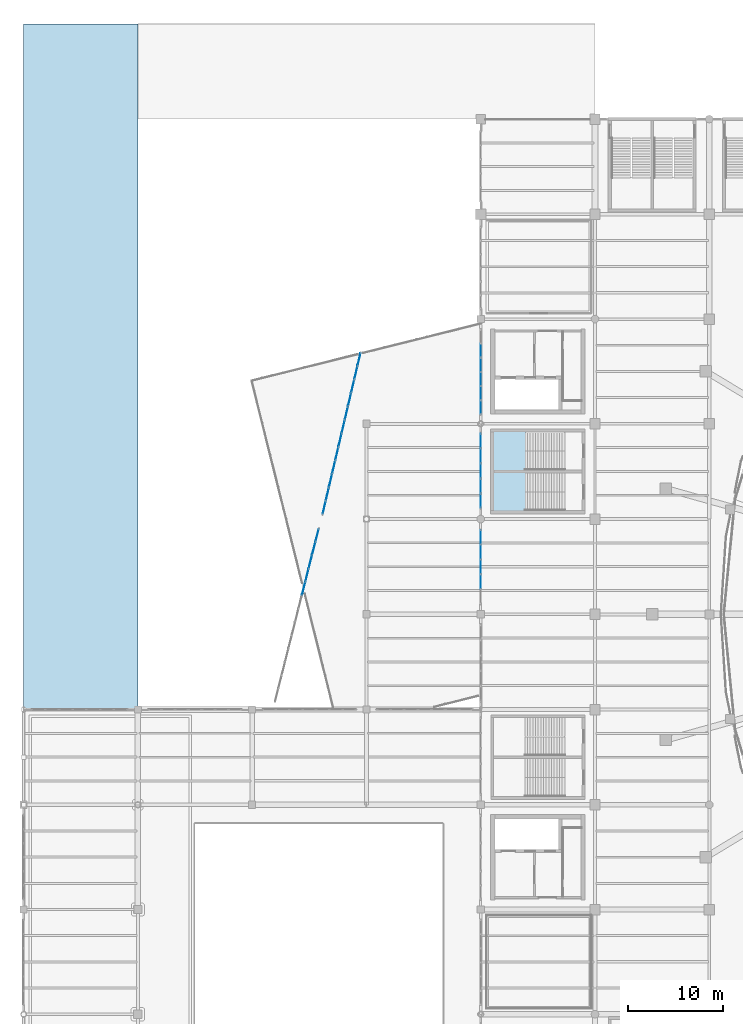
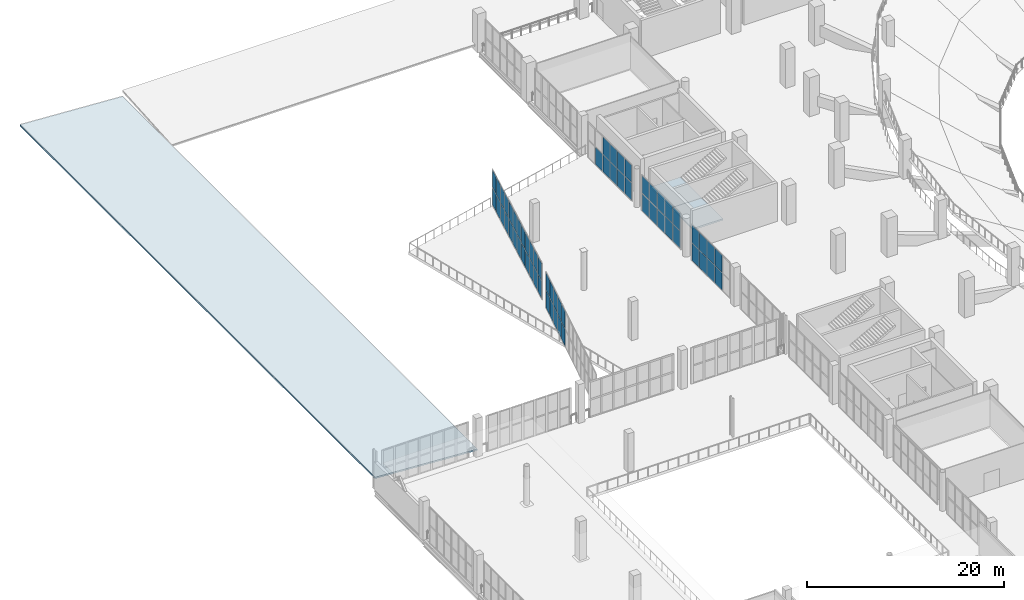
# One storey, part 97 of 136: 61 plates, 3 slabs, 7 elements without a shape of their own.
"""IFC4 building model written with IfcOpenShell, lengths in metres."""

from ifc_helpers import new_model, si_unit, direction, frame, origin, origin_2d, place, context, subcontext, project, spatial, polyline, rectangle, outline, extrude, material, layer, layer_set, type_object, element, aggregate, save


model = new_model("IFC4")

# Units and contexts
model_context = context("Model", 3, precision=1e-05, world=origin(), true_north=direction((0.0, 1.0)))
body_context = subcontext(model_context, "Body", "Model", "MODEL_VIEW")
ifc_project = project(units=[si_unit("LENGTHUNIT", "METRE"), si_unit("AREAUNIT", "SQUARE_METRE"), si_unit("VOLUMEUNIT", "CUBIC_METRE"), si_unit("PLANEANGLEUNIT", "RADIAN"), si_unit("MASSUNIT", "GRAM", prefix="KILO")], contexts=[model_context])

# Site, building, storey
site_placement = place(None, origin())
site = spatial("IfcSite", under=ifc_project, at=site_placement, CompositionType="ELEMENT")
building_placement = place(site_placement, origin())
building = spatial("IfcBuilding", under=site, at=building_placement, Name="Brinegate Civic Arena", CompositionType="ELEMENT")
storey_placement = place(building_placement, frame((0.0, 0.0, 5.39990234375)))
storey = spatial("IfcBuildingStorey", under=building, at=storey_placement, Name="L01", CompositionType="ELEMENT", Elevation=5.39990234375)

# Curtain wall, plates
ifc_material_1 = material(Name="Marine grade aluminium", Category="aluminium")
ifc_layer_1 = layer(ifc_material_1, 0.199951171875, Name="Marine grade aluminium")
ifc_layer_set_1 = layer_set([ifc_layer_1], Name="Marine grade aluminium")
curtain_wall_type_1 = type_object("IfcCurtainWallType", Name="CW-BOWL-GLAZED-01", PredefinedType="USERDEFINED", material=ifc_layer_set_1)
curtain_wall_1_placement = place(storey_placement, origin())
curtain_wall_1 = element("IfcCurtainWall", 1, at=curtain_wall_1_placement, inside=storey, type_object=curtain_wall_type_1, Name="Curtain Wall CWA-054", ObjectType="GLAZED CURTAIN WALL", PredefinedType="USERDEFINED")
ifc_material_2 = material(Name="Hurricane laminated low-E glass", Category="glass")
ifc_layer_2 = layer(ifc_material_2, 0.028076171875, Name="Hurricane laminated low-E glass")
ifc_layer_set_2 = layer_set([ifc_layer_2], Name="Hurricane laminated low-E glass")
plate_type_1 = type_object("IfcPlateType", Name="CW-PANEL-GLAZED-28", PredefinedType="CURTAIN_PANEL", material=ifc_layer_set_2)
plate_1_placement = place(storey_placement, frame((48.0, 65.421142578125, 0.06494140625), z_axis=(0.0, 0.0, 1.0), x_axis=(0.0, 1.0, 0.0)))
plate_1 = element("IfcPlate", 2, at=plate_1_placement, type_object=plate_type_1, Name="CWA-054 panel 2.1", PredefinedType="CURTAIN_PANEL", context=body_context, shape_type="SweptSolid", body=[
    extrude(rectangle(XDim=1.495849609375, YDim=0.028076171875, at=origin_2d()), origin(), (0.0, 0.0, 1.0), 2.137451171875),
])
plate_2_placement = place(storey_placement, frame((48.0, 65.421142578125, 2.267578125), z_axis=(0.0, 0.0, 1.0), x_axis=(0.0, 1.0, 0.0)))
plate_2 = element("IfcPlate", 3, at=plate_2_placement, type_object=plate_type_1, Name="CWA-054 panel 2.2", PredefinedType="CURTAIN_PANEL", context=body_context, shape_type="SweptSolid", body=[
    extrude(rectangle(XDim=1.495849609375, YDim=0.028076171875, at=origin_2d()), origin(), (0.0, 0.0, 1.0), 2.137451171875),
])
plate_3_placement = place(storey_placement, frame((48.0, 66.98193359375, 0.06494140625), z_axis=(0.0, 0.0, 1.0), x_axis=(0.0, 1.0, 0.0)))
plate_3 = element("IfcPlate", 4, at=plate_3_placement, type_object=plate_type_1, Name="CWA-054 panel 3.1", PredefinedType="CURTAIN_PANEL", context=body_context, shape_type="SweptSolid", body=[
    extrude(rectangle(XDim=1.495849609375, YDim=0.028076171875, at=origin_2d()), origin(), (0.0, 0.0, 1.0), 2.137451171875),
])
plate_4_placement = place(storey_placement, frame((48.0, 66.98193359375, 2.267578125), z_axis=(0.0, 0.0, 1.0), x_axis=(0.0, 1.0, 0.0)))
plate_4 = element("IfcPlate", 5, at=plate_4_placement, type_object=plate_type_1, Name="CWA-054 panel 3.2", PredefinedType="CURTAIN_PANEL", context=body_context, shape_type="SweptSolid", body=[
    extrude(rectangle(XDim=1.495849609375, YDim=0.028076171875, at=origin_2d()), origin(), (0.0, 0.0, 1.0), 2.137451171875),
])
plate_5_placement = place(storey_placement, frame((48.0, 68.542724609375, 0.06494140625), z_axis=(0.0, 0.0, 1.0), x_axis=(0.0, 1.0, 0.0)))
plate_5 = element("IfcPlate", 6, at=plate_5_placement, type_object=plate_type_1, Name="CWA-054 panel 4.1", PredefinedType="CURTAIN_PANEL", context=body_context, shape_type="SweptSolid", body=[
    extrude(rectangle(XDim=1.495849609375, YDim=0.028076171875, at=origin_2d()), origin(), (0.0, 0.0, 1.0), 2.137451171875),
])
plate_6_placement = place(storey_placement, frame((48.0, 68.542724609375, 2.267578125), z_axis=(0.0, 0.0, 1.0), x_axis=(0.0, 1.0, 0.0)))
plate_6 = element("IfcPlate", 7, at=plate_6_placement, type_object=plate_type_1, Name="CWA-054 panel 4.2", PredefinedType="CURTAIN_PANEL", context=body_context, shape_type="SweptSolid", body=[
    extrude(rectangle(XDim=1.495849609375, YDim=0.028076171875, at=origin_2d()), origin(), (0.0, 0.0, 1.0), 2.137451171875),
])
plate_7_placement = place(storey_placement, frame((48.0, 70.08740234375, 0.06494140625), z_axis=(0.0, 0.0, 1.0), x_axis=(0.0, 1.0, 0.0)))
plate_7 = element("IfcPlate", 8, at=plate_7_placement, type_object=plate_type_1, Name="CWA-054 panel 5.1", PredefinedType="CURTAIN_PANEL", context=body_context, shape_type="SweptSolid", body=[
    extrude(rectangle(XDim=1.46337890625, YDim=0.028076171875, at=origin_2d()), origin(), (0.0, 0.0, 1.0), 2.137451171875),
])
plate_8_placement = place(storey_placement, frame((48.0, 70.08740234375, 2.267578125), z_axis=(0.0, 0.0, 1.0), x_axis=(0.0, 1.0, 0.0)))
plate_8 = element("IfcPlate", 9, at=plate_8_placement, type_object=plate_type_1, Name="CWA-054 panel 5.2", PredefinedType="CURTAIN_PANEL", context=body_context, shape_type="SweptSolid", body=[
    extrude(rectangle(XDim=1.46337890625, YDim=0.028076171875, at=origin_2d()), origin(), (0.0, 0.0, 1.0), 2.137451171875),
])
aggregate(curtain_wall_1, [plate_1, plate_2, plate_3, plate_4, plate_5, plate_6, plate_7, plate_8])

curtain_wall_2_placement = place(storey_placement, origin())
curtain_wall_2 = element("IfcCurtainWall", 10, at=curtain_wall_2_placement, inside=storey, type_object=curtain_wall_type_1, Name="Curtain Wall CWA-058", ObjectType="GLAZED CURTAIN WALL", PredefinedType="USERDEFINED")
plate_9_placement = place(storey_placement, frame((48.0, 83.7421875, 0.06494140625), z_axis=(0.0, 0.0, 1.0), x_axis=(0.0, 1.0, 0.0)))
plate_9 = element("IfcPlate", 11, at=plate_9_placement, type_object=plate_type_1, Name="CWA-058 panel 1.1", PredefinedType="CURTAIN_PANEL", context=body_context, shape_type="SweptSolid", body=[
    extrude(rectangle(XDim=1.392333984375, YDim=0.028076171875, at=origin_2d()), origin(), (0.0, 0.0, 1.0), 2.137451171875),
])
plate_10_placement = place(storey_placement, frame((48.0, 83.7421875, 2.267578125), z_axis=(0.0, 0.0, 1.0), x_axis=(0.0, 1.0, 0.0)))
plate_10 = element("IfcPlate", 12, at=plate_10_placement, type_object=plate_type_1, Name="CWA-058 panel 1.2", PredefinedType="CURTAIN_PANEL", context=body_context, shape_type="SweptSolid", body=[
    extrude(rectangle(XDim=1.392333984375, YDim=0.028076171875, at=origin_2d()), origin(), (0.0, 0.0, 1.0), 2.137451171875),
])
plate_11_placement = place(storey_placement, frame((48.0, 85.2158203125, 0.06494140625), z_axis=(0.0, 0.0, 1.0), x_axis=(0.0, 1.0, 0.0)))
plate_11 = element("IfcPlate", 13, at=plate_11_placement, type_object=plate_type_1, Name="CWA-058 panel 2.1", PredefinedType="CURTAIN_PANEL", context=body_context, shape_type="SweptSolid", body=[
    extrude(rectangle(XDim=1.4248046875, YDim=0.028076171875, at=origin_2d()), origin(), (0.0, 0.0, 1.0), 2.137451171875),
])
plate_12_placement = place(storey_placement, frame((48.0, 85.2158203125, 2.267578125), z_axis=(0.0, 0.0, 1.0), x_axis=(0.0, 1.0, 0.0)))
plate_12 = element("IfcPlate", 14, at=plate_12_placement, type_object=plate_type_1, Name="CWA-058 panel 2.2", PredefinedType="CURTAIN_PANEL", context=body_context, shape_type="SweptSolid", body=[
    extrude(rectangle(XDim=1.4248046875, YDim=0.028076171875, at=origin_2d()), origin(), (0.0, 0.0, 1.0), 2.137451171875),
])
plate_13_placement = place(storey_placement, frame((48.0, 86.70556640625, 0.06494140625), z_axis=(0.0, 0.0, 1.0), x_axis=(0.0, 1.0, 0.0)))
plate_13 = element("IfcPlate", 15, at=plate_13_placement, type_object=plate_type_1, Name="CWA-058 panel 3.1", PredefinedType="CURTAIN_PANEL", context=body_context, shape_type="SweptSolid", body=[
    extrude(rectangle(XDim=1.4248046875, YDim=0.028076171875, at=origin_2d()), origin(), (0.0, 0.0, 1.0), 2.137451171875),
])
plate_14_placement = place(storey_placement, frame((48.0, 86.70556640625, 2.267578125), z_axis=(0.0, 0.0, 1.0), x_axis=(0.0, 1.0, 0.0)))
plate_14 = element("IfcPlate", 16, at=plate_14_placement, type_object=plate_type_1, Name="CWA-058 panel 3.2", PredefinedType="CURTAIN_PANEL", context=body_context, shape_type="SweptSolid", body=[
    extrude(rectangle(XDim=1.4248046875, YDim=0.028076171875, at=origin_2d()), origin(), (0.0, 0.0, 1.0), 2.137451171875),
])
plate_15_placement = place(storey_placement, frame((48.0, 88.1953125, 0.06494140625), z_axis=(0.0, 0.0, 1.0), x_axis=(0.0, 1.0, 0.0)))
plate_15 = element("IfcPlate", 17, at=plate_15_placement, type_object=plate_type_1, Name="CWA-058 panel 4.1", PredefinedType="CURTAIN_PANEL", context=body_context, shape_type="SweptSolid", body=[
    extrude(rectangle(XDim=1.4248046875, YDim=0.028076171875, at=origin_2d()), origin(), (0.0, 0.0, 1.0), 2.137451171875),
])
plate_16_placement = place(storey_placement, frame((48.0, 88.1953125, 2.267578125), z_axis=(0.0, 0.0, 1.0), x_axis=(0.0, 1.0, 0.0)))
plate_16 = element("IfcPlate", 18, at=plate_16_placement, type_object=plate_type_1, Name="CWA-058 panel 4.2", PredefinedType="CURTAIN_PANEL", context=body_context, shape_type="SweptSolid", body=[
    extrude(rectangle(XDim=1.4248046875, YDim=0.028076171875, at=origin_2d()), origin(), (0.0, 0.0, 1.0), 2.137451171875),
])
plate_17_placement = place(storey_placement, frame((48.0, 89.685302734375, 0.06494140625), z_axis=(0.0, 0.0, 1.0), x_axis=(0.0, 1.0, 0.0)))
plate_17 = element("IfcPlate", 19, at=plate_17_placement, type_object=plate_type_1, Name="CWA-058 panel 5.1", PredefinedType="CURTAIN_PANEL", context=body_context, shape_type="SweptSolid", body=[
    extrude(rectangle(XDim=1.4248046875, YDim=0.028076171875, at=origin_2d()), origin(), (0.0, 0.0, 1.0), 2.137451171875),
])
aggregate(curtain_wall_2, [plate_9, plate_10, plate_11, plate_12, plate_13, plate_14, plate_15, plate_16, plate_17])

ifc_layer_3 = layer(ifc_material_1, 0.215087890625, Name="Marine grade aluminium")
ifc_layer_set_3 = layer_set([ifc_layer_3], Name="Marine grade aluminium")
curtain_wall_type_2 = type_object("IfcCurtainWallType", Name="CW-FOYER-GLAZED-02", PredefinedType="USERDEFINED", material=ifc_layer_set_3)
curtain_wall_3_placement = place(storey_placement, origin())
curtain_wall_3 = element("IfcCurtainWall", 20, at=curtain_wall_3_placement, inside=storey, type_object=curtain_wall_type_2, Name="Curtain Wall CWA-001", ObjectType="GLAZED CURTAIN WALL", PredefinedType="USERDEFINED")
ifc_layer_4 = layer(ifc_material_2, 0.031982421875, Name="Hurricane laminated low-E glass")
ifc_layer_set_4 = layer_set([ifc_layer_4], Name="Hurricane laminated low-E glass")
plate_type_2 = type_object("IfcPlateType", Name="CW-PANEL-GLAZED-32", PredefinedType="CURTAIN_PANEL", material=ifc_layer_set_4)
plate_18_placement = place(storey_placement, frame((29.40771484375, 64.699951171875, 0.06494140625), z_axis=(0.0, 0.0, 1.0), x_axis=(0.245041635134, 0.969512556417, 0.0)))
plate_18 = element("IfcPlate", 21, at=plate_18_placement, type_object=plate_type_2, Name="CWA-001 panel 9.1", PredefinedType="CURTAIN_PANEL", context=body_context, shape_type="SweptSolid", body=[
    extrude(rectangle(XDim=1.37890625, YDim=0.031982421875, at=origin_2d()), origin(), (0.0, 0.0, 1.0), 2.137451171875),
])
plate_19_placement = place(storey_placement, frame((29.40771484375, 64.699951171875, 2.267578125), z_axis=(0.0, 0.0, 1.0), x_axis=(0.245041635134, 0.969512556417, 0.0)))
plate_19 = element("IfcPlate", 22, at=plate_19_placement, type_object=plate_type_2, Name="CWA-001 panel 9.2", PredefinedType="CURTAIN_PANEL", context=body_context, shape_type="SweptSolid", body=[
    extrude(rectangle(XDim=1.37890625, YDim=0.031982421875, at=origin_2d()), origin(), (0.0, 0.0, 1.0), 2.137451171875),
])
plate_20_placement = place(storey_placement, frame((29.761474609375, 66.10009765625, 0.06494140625), z_axis=(0.0, 0.0, 1.0), x_axis=(0.245041635134, 0.969512556417, 0.0)))
plate_20 = element("IfcPlate", 23, at=plate_20_placement, type_object=plate_type_2, Name="CWA-001 panel 10.1", PredefinedType="CURTAIN_PANEL", context=body_context, shape_type="SweptSolid", body=[
    extrude(rectangle(XDim=1.37890625, YDim=0.031982421875, at=origin_2d()), origin(), (0.0, 0.0, 1.0), 2.137451171875),
])
plate_21_placement = place(storey_placement, frame((29.761474609375, 66.10009765625, 2.267578125), z_axis=(0.0, 0.0, 1.0), x_axis=(0.245041635134, 0.969512556417, 0.0)))
plate_21 = element("IfcPlate", 24, at=plate_21_placement, type_object=plate_type_2, Name="CWA-001 panel 10.2", PredefinedType="CURTAIN_PANEL", context=body_context, shape_type="SweptSolid", body=[
    extrude(rectangle(XDim=1.37890625, YDim=0.031982421875, at=origin_2d()), origin(), (0.0, 0.0, 1.0), 2.137451171875),
])
plate_22_placement = place(storey_placement, frame((30.115478515625, 67.5, 0.06494140625), z_axis=(0.0, 0.0, 1.0), x_axis=(0.245041635134, 0.969512556417, 0.0)))
plate_22 = element("IfcPlate", 25, at=plate_22_placement, type_object=plate_type_2, Name="CWA-001 panel 11.1", PredefinedType="CURTAIN_PANEL", context=body_context, shape_type="SweptSolid", body=[
    extrude(rectangle(XDim=1.37890625, YDim=0.031982421875, at=origin_2d()), origin(), (0.0, 0.0, 1.0), 2.137451171875),
])
plate_23_placement = place(storey_placement, frame((30.115478515625, 67.5, 2.267578125), z_axis=(0.0, 0.0, 1.0), x_axis=(0.245041635134, 0.969512556417, 0.0)))
plate_23 = element("IfcPlate", 26, at=plate_23_placement, type_object=plate_type_2, Name="CWA-001 panel 11.2", PredefinedType="CURTAIN_PANEL", context=body_context, shape_type="SweptSolid", body=[
    extrude(rectangle(XDim=1.37890625, YDim=0.031982421875, at=origin_2d()), origin(), (0.0, 0.0, 1.0), 2.137451171875),
])
plate_24_placement = place(storey_placement, frame((30.46923828125, 68.89990234375, 0.06494140625), z_axis=(0.0, 0.0, 1.0), x_axis=(0.245041635134, 0.969512556417, 0.0)))
plate_24 = element("IfcPlate", 27, at=plate_24_placement, type_object=plate_type_2, Name="CWA-001 panel 12.1", PredefinedType="CURTAIN_PANEL", context=body_context, shape_type="SweptSolid", body=[
    extrude(rectangle(XDim=1.37890625, YDim=0.031982421875, at=origin_2d()), origin(), (0.0, 0.0, 1.0), 2.137451171875),
])
plate_25_placement = place(storey_placement, frame((30.46923828125, 68.89990234375, 2.267578125), z_axis=(0.0, 0.0, 1.0), x_axis=(0.245041635134, 0.969512556417, 0.0)))
plate_25 = element("IfcPlate", 28, at=plate_25_placement, type_object=plate_type_2, Name="CWA-001 panel 12.2", PredefinedType="CURTAIN_PANEL", context=body_context, shape_type="SweptSolid", body=[
    extrude(rectangle(XDim=1.37890625, YDim=0.031982421875, at=origin_2d()), origin(), (0.0, 0.0, 1.0), 2.137451171875),
])
plate_26_placement = place(storey_placement, frame((30.819091796875, 70.2841796875, 0.06494140625), z_axis=(0.0, 0.0, 1.0), x_axis=(0.245041635134, 0.969512556417, 0.0)))
plate_26 = element("IfcPlate", 29, at=plate_26_placement, type_object=plate_type_2, Name="CWA-001 panel 13.1", PredefinedType="CURTAIN_PANEL", context=body_context, shape_type="SweptSolid", body=[
    extrude(rectangle(XDim=1.346435546875, YDim=0.031982421875, at=origin_2d()), origin(), (0.0, 0.0, 1.0), 2.137451171875),
])
plate_27_placement = place(storey_placement, frame((30.819091796875, 70.2841796875, 2.267578125), z_axis=(0.0, 0.0, 1.0), x_axis=(0.245041635134, 0.969512556417, 0.0)))
plate_27 = element("IfcPlate", 30, at=plate_27_placement, type_object=plate_type_2, Name="CWA-001 panel 13.2", PredefinedType="CURTAIN_PANEL", context=body_context, shape_type="SweptSolid", body=[
    extrude(rectangle(XDim=1.346435546875, YDim=0.031982421875, at=origin_2d()), origin(), (0.0, 0.0, 1.0), 2.137451171875),
])
aggregate(curtain_wall_3, [plate_18, plate_19, plate_20, plate_21, plate_22, plate_23, plate_24, plate_25, plate_26, plate_27])

curtain_wall_4_placement = place(storey_placement, origin())
curtain_wall_4 = element("IfcCurtainWall", 31, at=curtain_wall_4_placement, inside=storey, type_object=curtain_wall_type_2, Name="Curtain Wall CWA-002", ObjectType="GLAZED CURTAIN WALL", PredefinedType="USERDEFINED")
ifc_layer_5 = layer(ifc_material_2, 0.035888671875, Name="Hurricane laminated low-E glass")
ifc_layer_set_5 = layer_set([ifc_layer_5], Name="Hurricane laminated low-E glass")
plate_type_3 = type_object("IfcPlateType", Name="CW-PANEL-GLAZED-36", PredefinedType="CURTAIN_PANEL", material=ifc_layer_set_5)
plate_28_placement = place(storey_placement, frame((31.571044921875, 73.2265625, 0.074951171875), z_axis=(0.0, 0.0, 1.0), x_axis=(0.229039333722, 0.973417168334, 0.0)))
plate_28 = element("IfcPlate", 32, at=plate_28_placement, type_object=plate_type_3, Name="CWA-002 panel 1.1", PredefinedType="CURTAIN_PANEL", context=body_context, shape_type="SweptSolid", body=[
    extrude(rectangle(XDim=1.3427734375, YDim=0.035888671875, at=origin_2d()), origin(), (0.0, 0.0, 1.0), 2.12255859375),
])
plate_29_placement = place(storey_placement, frame((31.571044921875, 73.2265625, 2.2724609375), z_axis=(0.0, 0.0, 1.0), x_axis=(0.229039333722, 0.973417168334, 0.0)))
plate_29 = element("IfcPlate", 33, at=plate_29_placement, type_object=plate_type_3, Name="CWA-002 panel 1.2", PredefinedType="CURTAIN_PANEL", context=body_context, shape_type="SweptSolid", body=[
    extrude(rectangle(XDim=1.3427734375, YDim=0.035888671875, at=origin_2d()), origin(), (0.0, 0.0, 1.0), 2.12255859375),
])
plate_30_placement = place(storey_placement, frame((31.89990234375, 74.625, 0.074951171875), z_axis=(0.0, 0.0, 1.0), x_axis=(0.229039333722, 0.973417168334, 0.0)))
plate_30 = element("IfcPlate", 34, at=plate_30_placement, type_object=plate_type_3, Name="CWA-002 panel 2.1", PredefinedType="CURTAIN_PANEL", context=body_context, shape_type="SweptSolid", body=[
    extrude(rectangle(XDim=1.38037109375, YDim=0.035888671875, at=origin_2d()), origin(), (0.0, 0.0, 1.0), 2.12255859375),
])
plate_31_placement = place(storey_placement, frame((31.89990234375, 74.625, 2.2724609375), z_axis=(0.0, 0.0, 1.0), x_axis=(0.229039333722, 0.973417168334, 0.0)))
plate_31 = element("IfcPlate", 35, at=plate_31_placement, type_object=plate_type_3, Name="CWA-002 panel 2.2", PredefinedType="CURTAIN_PANEL", context=body_context, shape_type="SweptSolid", body=[
    extrude(rectangle(XDim=1.38037109375, YDim=0.035888671875, at=origin_2d()), origin(), (0.0, 0.0, 1.0), 2.12255859375),
])
plate_32_placement = place(storey_placement, frame((32.2333984375, 76.041748046875, 0.074951171875), z_axis=(0.0, 0.0, 1.0), x_axis=(0.229039333722, 0.973417168334, 0.0)))
plate_32 = element("IfcPlate", 36, at=plate_32_placement, type_object=plate_type_3, Name="CWA-002 panel 3.1", PredefinedType="CURTAIN_PANEL", context=body_context, shape_type="SweptSolid", body=[
    extrude(rectangle(XDim=1.38037109375, YDim=0.035888671875, at=origin_2d()), origin(), (0.0, 0.0, 1.0), 2.12255859375),
])
plate_33_placement = place(storey_placement, frame((32.2333984375, 76.041748046875, 2.2724609375), z_axis=(0.0, 0.0, 1.0), x_axis=(0.229039333722, 0.973417168334, 0.0)))
plate_33 = element("IfcPlate", 37, at=plate_33_placement, type_object=plate_type_3, Name="CWA-002 panel 3.2", PredefinedType="CURTAIN_PANEL", context=body_context, shape_type="SweptSolid", body=[
    extrude(rectangle(XDim=1.38037109375, YDim=0.035888671875, at=origin_2d()), origin(), (0.0, 0.0, 1.0), 2.12255859375),
])
plate_34_placement = place(storey_placement, frame((32.566650390625, 77.458251953125, 0.074951171875), z_axis=(0.0, 0.0, 1.0), x_axis=(0.229039333722, 0.973417168334, 0.0)))
plate_34 = element("IfcPlate", 38, at=plate_34_placement, type_object=plate_type_3, Name="CWA-002 panel 4.1", PredefinedType="CURTAIN_PANEL", context=body_context, shape_type="SweptSolid", body=[
    extrude(rectangle(XDim=1.38037109375, YDim=0.035888671875, at=origin_2d()), origin(), (0.0, 0.0, 1.0), 2.12255859375),
])
plate_35_placement = place(storey_placement, frame((32.566650390625, 77.458251953125, 2.2724609375), z_axis=(0.0, 0.0, 1.0), x_axis=(0.229039333722, 0.973417168334, 0.0)))
plate_35 = element("IfcPlate", 39, at=plate_35_placement, type_object=plate_type_3, Name="CWA-002 panel 4.2", PredefinedType="CURTAIN_PANEL", context=body_context, shape_type="SweptSolid", body=[
    extrude(rectangle(XDim=1.38037109375, YDim=0.035888671875, at=origin_2d()), origin(), (0.0, 0.0, 1.0), 2.12255859375),
])
plate_36_placement = place(storey_placement, frame((32.89990234375, 78.875, 0.074951171875), z_axis=(0.0, 0.0, 1.0), x_axis=(0.229039333722, 0.973417168334, 0.0)))
plate_36 = element("IfcPlate", 40, at=plate_36_placement, type_object=plate_type_3, Name="CWA-002 panel 5.1", PredefinedType="CURTAIN_PANEL", context=body_context, shape_type="SweptSolid", body=[
    extrude(rectangle(XDim=1.38037109375, YDim=0.035888671875, at=origin_2d()), origin(), (0.0, 0.0, 1.0), 2.12255859375),
])
plate_37_placement = place(storey_placement, frame((32.89990234375, 78.875, 2.2724609375), z_axis=(0.0, 0.0, 1.0), x_axis=(0.229039333722, 0.973417168334, 0.0)))
plate_37 = element("IfcPlate", 41, at=plate_37_placement, type_object=plate_type_3, Name="CWA-002 panel 5.2", PredefinedType="CURTAIN_PANEL", context=body_context, shape_type="SweptSolid", body=[
    extrude(rectangle(XDim=1.38037109375, YDim=0.035888671875, at=origin_2d()), origin(), (0.0, 0.0, 1.0), 2.12255859375),
])
plate_38_placement = place(storey_placement, frame((33.2333984375, 80.291748046875, 0.074951171875), z_axis=(0.0, 0.0, 1.0), x_axis=(0.229039333722, 0.973417168334, 0.0)))
plate_38 = element("IfcPlate", 42, at=plate_38_placement, type_object=plate_type_3, Name="CWA-002 panel 6.1", PredefinedType="CURTAIN_PANEL", context=body_context, shape_type="SweptSolid", body=[
    extrude(rectangle(XDim=1.38037109375, YDim=0.035888671875, at=origin_2d()), origin(), (0.0, 0.0, 1.0), 2.12255859375),
])
plate_39_placement = place(storey_placement, frame((33.2333984375, 80.291748046875, 2.2724609375), z_axis=(0.0, 0.0, 1.0), x_axis=(0.229039333722, 0.973417168334, 0.0)))
plate_39 = element("IfcPlate", 43, at=plate_39_placement, type_object=plate_type_3, Name="CWA-002 panel 6.2", PredefinedType="CURTAIN_PANEL", context=body_context, shape_type="SweptSolid", body=[
    extrude(rectangle(XDim=1.38037109375, YDim=0.035888671875, at=origin_2d()), origin(), (0.0, 0.0, 1.0), 2.12255859375),
])
plate_40_placement = place(storey_placement, frame((33.566650390625, 81.708251953125, 0.074951171875), z_axis=(0.0, 0.0, 1.0), x_axis=(0.229039333722, 0.973417168334, 0.0)))
plate_40 = element("IfcPlate", 44, at=plate_40_placement, type_object=plate_type_3, Name="CWA-002 panel 7.1", PredefinedType="CURTAIN_PANEL", context=body_context, shape_type="SweptSolid", body=[
    extrude(rectangle(XDim=1.38037109375, YDim=0.035888671875, at=origin_2d()), origin(), (0.0, 0.0, 1.0), 2.12255859375),
])
plate_41_placement = place(storey_placement, frame((33.566650390625, 81.708251953125, 2.2724609375), z_axis=(0.0, 0.0, 1.0), x_axis=(0.229039333722, 0.973417168334, 0.0)))
plate_41 = element("IfcPlate", 45, at=plate_41_placement, type_object=plate_type_3, Name="CWA-002 panel 7.2", PredefinedType="CURTAIN_PANEL", context=body_context, shape_type="SweptSolid", body=[
    extrude(rectangle(XDim=1.38037109375, YDim=0.035888671875, at=origin_2d()), origin(), (0.0, 0.0, 1.0), 2.12255859375),
])
plate_42_placement = place(storey_placement, frame((33.89990234375, 83.125, 0.074951171875), z_axis=(0.0, 0.0, 1.0), x_axis=(0.229039333722, 0.973417168334, 0.0)))
plate_42 = element("IfcPlate", 46, at=plate_42_placement, type_object=plate_type_3, Name="CWA-002 panel 8.1", PredefinedType="CURTAIN_PANEL", context=body_context, shape_type="SweptSolid", body=[
    extrude(rectangle(XDim=1.38037109375, YDim=0.035888671875, at=origin_2d()), origin(), (0.0, 0.0, 1.0), 2.12255859375),
])
plate_43_placement = place(storey_placement, frame((33.89990234375, 83.125, 2.2724609375), z_axis=(0.0, 0.0, 1.0), x_axis=(0.229039333722, 0.973417168334, 0.0)))
plate_43 = element("IfcPlate", 47, at=plate_43_placement, type_object=plate_type_3, Name="CWA-002 panel 8.2", PredefinedType="CURTAIN_PANEL", context=body_context, shape_type="SweptSolid", body=[
    extrude(rectangle(XDim=1.38037109375, YDim=0.035888671875, at=origin_2d()), origin(), (0.0, 0.0, 1.0), 2.12255859375),
])
plate_44_placement = place(storey_placement, frame((34.2333984375, 84.541748046875, 0.074951171875), z_axis=(0.0, 0.0, 1.0), x_axis=(0.229039333722, 0.973417168334, 0.0)))
plate_44 = element("IfcPlate", 48, at=plate_44_placement, type_object=plate_type_3, Name="CWA-002 panel 9.1", PredefinedType="CURTAIN_PANEL", context=body_context, shape_type="SweptSolid", body=[
    extrude(rectangle(XDim=1.38037109375, YDim=0.035888671875, at=origin_2d()), origin(), (0.0, 0.0, 1.0), 2.12255859375),
])
plate_45_placement = place(storey_placement, frame((34.2333984375, 84.541748046875, 2.2724609375), z_axis=(0.0, 0.0, 1.0), x_axis=(0.229039333722, 0.973417168334, 0.0)))
plate_45 = element("IfcPlate", 49, at=plate_45_placement, type_object=plate_type_3, Name="CWA-002 panel 9.2", PredefinedType="CURTAIN_PANEL", context=body_context, shape_type="SweptSolid", body=[
    extrude(rectangle(XDim=1.38037109375, YDim=0.035888671875, at=origin_2d()), origin(), (0.0, 0.0, 1.0), 2.12255859375),
])
plate_46_placement = place(storey_placement, frame((34.566650390625, 85.958251953125, 0.074951171875), z_axis=(0.0, 0.0, 1.0), x_axis=(0.229039333722, 0.973417168334, 0.0)))
plate_46 = element("IfcPlate", 50, at=plate_46_placement, type_object=plate_type_3, Name="CWA-002 panel 10.1", PredefinedType="CURTAIN_PANEL", context=body_context, shape_type="SweptSolid", body=[
    extrude(rectangle(XDim=1.38037109375, YDim=0.035888671875, at=origin_2d()), origin(), (0.0, 0.0, 1.0), 2.12255859375),
])
plate_47_placement = place(storey_placement, frame((34.566650390625, 85.958251953125, 2.2724609375), z_axis=(0.0, 0.0, 1.0), x_axis=(0.229039333722, 0.973417168334, 0.0)))
plate_47 = element("IfcPlate", 51, at=plate_47_placement, type_object=plate_type_3, Name="CWA-002 panel 10.2", PredefinedType="CURTAIN_PANEL", context=body_context, shape_type="SweptSolid", body=[
    extrude(rectangle(XDim=1.38037109375, YDim=0.035888671875, at=origin_2d()), origin(), (0.0, 0.0, 1.0), 2.12255859375),
])
plate_48_placement = place(storey_placement, frame((34.89990234375, 87.375, 0.074951171875), z_axis=(0.0, 0.0, 1.0), x_axis=(0.229039333722, 0.973417168334, 0.0)))
plate_48 = element("IfcPlate", 52, at=plate_48_placement, type_object=plate_type_3, Name="CWA-002 panel 11.1", PredefinedType="CURTAIN_PANEL", context=body_context, shape_type="SweptSolid", body=[
    extrude(rectangle(XDim=1.38037109375, YDim=0.035888671875, at=origin_2d()), origin(), (0.0, 0.0, 1.0), 2.12255859375),
])
plate_49_placement = place(storey_placement, frame((34.89990234375, 87.375, 2.2724609375), z_axis=(0.0, 0.0, 1.0), x_axis=(0.229039333722, 0.973417168334, 0.0)))
plate_49 = element("IfcPlate", 53, at=plate_49_placement, type_object=plate_type_3, Name="CWA-002 panel 11.2", PredefinedType="CURTAIN_PANEL", context=body_context, shape_type="SweptSolid", body=[
    extrude(rectangle(XDim=1.38037109375, YDim=0.035888671875, at=origin_2d()), origin(), (0.0, 0.0, 1.0), 2.12255859375),
])
plate_50_placement = place(storey_placement, frame((35.22900390625, 88.7734375, 0.074951171875), z_axis=(0.0, 0.0, 1.0), x_axis=(0.229039333722, 0.973417168334, 0.0)))
plate_50 = element("IfcPlate", 54, at=plate_50_placement, type_object=plate_type_3, Name="CWA-002 panel 12.1", PredefinedType="CURTAIN_PANEL", context=body_context, shape_type="SweptSolid", body=[
    extrude(rectangle(XDim=1.3427734375, YDim=0.035888671875, at=origin_2d()), origin(), (0.0, 0.0, 1.0), 2.12255859375),
])
plate_51_placement = place(storey_placement, frame((35.22900390625, 88.7734375, 2.2724609375), z_axis=(0.0, 0.0, 1.0), x_axis=(0.229039333722, 0.973417168334, 0.0)))
plate_51 = element("IfcPlate", 55, at=plate_51_placement, type_object=plate_type_3, Name="CWA-002 panel 12.2", PredefinedType="CURTAIN_PANEL", context=body_context, shape_type="SweptSolid", body=[
    extrude(rectangle(XDim=1.3427734375, YDim=0.035888671875, at=origin_2d()), origin(), (0.0, 0.0, 1.0), 2.12255859375),
])
aggregate(curtain_wall_4, [plate_28, plate_29, plate_30, plate_31, plate_32, plate_33, plate_34, plate_35, plate_36, plate_37, plate_38, plate_39, plate_40, plate_41, plate_42, plate_43, plate_44, plate_45, plate_46, plate_47, plate_48, plate_49, plate_50, plate_51])

curtain_wall_5_placement = place(storey_placement, origin())
curtain_wall_5 = element("IfcCurtainWall", 56, at=curtain_wall_5_placement, inside=storey, type_object=curtain_wall_type_1, Name="Curtain Wall CWA-056", ObjectType="GLAZED CURTAIN WALL", PredefinedType="USERDEFINED")
plate_52_placement = place(storey_placement, frame((48.0, 73.925048828125, 0.074951171875), z_axis=(0.0, 0.0, 1.0), x_axis=(0.0, 1.0, 0.0)))
plate_52 = element("IfcPlate", 57, at=plate_52_placement, type_object=plate_type_3, Name="CWA-056 panel 1.1", PredefinedType="CURTAIN_PANEL", context=body_context, shape_type="SweptSolid", body=[
    extrude(rectangle(XDim=1.468017578125, YDim=0.035888671875, at=origin_2d()), origin(), (0.0, 0.0, 1.0), 2.12255859375),
])
plate_53_placement = place(storey_placement, frame((48.0, 73.925048828125, 2.2724609375), z_axis=(0.0, 0.0, 1.0), x_axis=(0.0, 1.0, 0.0)))
plate_53 = element("IfcPlate", 58, at=plate_53_placement, type_object=plate_type_3, Name="CWA-056 panel 1.2", PredefinedType="CURTAIN_PANEL", context=body_context, shape_type="SweptSolid", body=[
    extrude(rectangle(XDim=1.468017578125, YDim=0.035888671875, at=origin_2d()), origin(), (0.0, 0.0, 1.0), 2.12255859375),
])
plate_54_placement = place(storey_placement, frame((48.0, 75.48681640625, 0.074951171875), z_axis=(0.0, 0.0, 1.0), x_axis=(0.0, 1.0, 0.0)))
plate_54 = element("IfcPlate", 59, at=plate_54_placement, type_object=plate_type_3, Name="CWA-056 panel 2.1", PredefinedType="CURTAIN_PANEL", context=body_context, shape_type="SweptSolid", body=[
    extrude(rectangle(XDim=1.505615234375, YDim=0.035888671875, at=origin_2d()), origin(), (0.0, 0.0, 1.0), 2.12255859375),
])
plate_55_placement = place(storey_placement, frame((48.0, 75.48681640625, 2.2724609375), z_axis=(0.0, 0.0, 1.0), x_axis=(0.0, 1.0, 0.0)))
plate_55 = element("IfcPlate", 60, at=plate_55_placement, type_object=plate_type_3, Name="CWA-056 panel 2.2", PredefinedType="CURTAIN_PANEL", context=body_context, shape_type="SweptSolid", body=[
    extrude(rectangle(XDim=1.505615234375, YDim=0.035888671875, at=origin_2d()), origin(), (0.0, 0.0, 1.0), 2.12255859375),
])
plate_56_placement = place(storey_placement, frame((48.0, 77.0673828125, 0.074951171875), z_axis=(0.0, 0.0, 1.0), x_axis=(0.0, 1.0, 0.0)))
plate_56 = element("IfcPlate", 61, at=plate_56_placement, type_object=plate_type_3, Name="CWA-056 panel 3.1", PredefinedType="CURTAIN_PANEL", context=body_context, shape_type="SweptSolid", body=[
    extrude(rectangle(XDim=1.505615234375, YDim=0.035888671875, at=origin_2d()), origin(), (0.0, 0.0, 1.0), 2.12255859375),
])
plate_57_placement = place(storey_placement, frame((48.0, 77.0673828125, 2.2724609375), z_axis=(0.0, 0.0, 1.0), x_axis=(0.0, 1.0, 0.0)))
plate_57 = element("IfcPlate", 62, at=plate_57_placement, type_object=plate_type_3, Name="CWA-056 panel 3.2", PredefinedType="CURTAIN_PANEL", context=body_context, shape_type="SweptSolid", body=[
    extrude(rectangle(XDim=1.505615234375, YDim=0.035888671875, at=origin_2d()), origin(), (0.0, 0.0, 1.0), 2.12255859375),
])
plate_58_placement = place(storey_placement, frame((48.0, 78.648193359375, 0.074951171875), z_axis=(0.0, 0.0, 1.0), x_axis=(0.0, 1.0, 0.0)))
plate_58 = element("IfcPlate", 63, at=plate_58_placement, type_object=plate_type_3, Name="CWA-056 panel 4.1", PredefinedType="CURTAIN_PANEL", context=body_context, shape_type="SweptSolid", body=[
    extrude(rectangle(XDim=1.505615234375, YDim=0.035888671875, at=origin_2d()), origin(), (0.0, 0.0, 1.0), 2.12255859375),
])
plate_59_placement = place(storey_placement, frame((48.0, 78.648193359375, 2.2724609375), z_axis=(0.0, 0.0, 1.0), x_axis=(0.0, 1.0, 0.0)))
plate_59 = element("IfcPlate", 64, at=plate_59_placement, type_object=plate_type_3, Name="CWA-056 panel 4.2", PredefinedType="CURTAIN_PANEL", context=body_context, shape_type="SweptSolid", body=[
    extrude(rectangle(XDim=1.505615234375, YDim=0.035888671875, at=origin_2d()), origin(), (0.0, 0.0, 1.0), 2.12255859375),
])
plate_60_placement = place(storey_placement, frame((48.0, 80.2099609375, 0.074951171875), z_axis=(0.0, 0.0, 1.0), x_axis=(0.0, 1.0, 0.0)))
plate_60 = element("IfcPlate", 65, at=plate_60_placement, type_object=plate_type_3, Name="CWA-056 panel 5.1", PredefinedType="CURTAIN_PANEL", context=body_context, shape_type="SweptSolid", body=[
    extrude(rectangle(XDim=1.468017578125, YDim=0.035888671875, at=origin_2d()), origin(), (0.0, 0.0, 1.0), 2.12255859375),
])
plate_61_placement = place(storey_placement, frame((48.0, 80.2099609375, 2.2724609375), z_axis=(0.0, 0.0, 1.0), x_axis=(0.0, 1.0, 0.0)))
plate_61 = element("IfcPlate", 66, at=plate_61_placement, type_object=plate_type_3, Name="CWA-056 panel 5.2", PredefinedType="CURTAIN_PANEL", context=body_context, shape_type="SweptSolid", body=[
    extrude(rectangle(XDim=1.468017578125, YDim=0.035888671875, at=origin_2d()), origin(), (0.0, 0.0, 1.0), 2.12255859375),
])
aggregate(curtain_wall_5, [plate_52, plate_53, plate_54, plate_55, plate_56, plate_57, plate_58, plate_59, plate_60, plate_61])

# Stair, slab
ifc_material_3 = material(Name="Concrete C40/50", Category="concrete")
stair_type_1 = type_object("IfcStairType", Name="STAIR-EXIT-3850", PredefinedType="HALF_TURN_STAIR", material=ifc_material_3)
stair_1_placement = place(storey_placement, origin())
stair_1 = element("IfcStair", 67, at=stair_1_placement, inside=storey, type_object=stair_type_1, Name="Protected Exit Stair ST-07A (L01)", PredefinedType="HALF_TURN_STAIR")
ifc_layer_6 = layer(ifc_material_3, 0.199951171875, Name="Concrete C40/50")
ifc_layer_set_6 = layer_set([ifc_layer_6], Name="Concrete C40/50")
slab_type_1 = type_object("IfcSlabType", Name="SLAB-LANDING-200", PredefinedType="LANDING", material=ifc_layer_set_6)
slab_1_placement = place(storey_placement, frame((0.0, 0.0, 2.2001953125)))
slab_1 = element("IfcSlab", 68, at=slab_1_placement, type_object=slab_type_1, Name="ST-07A landing 1", PredefinedType="LANDING", context=body_context, shape_type="SweptSolid", body=[
    extrude(outline(polyline([(49.199951171875, 72.72509765625), (52.7099609375, 72.72509765625), (52.7099609375, 77.0048828125), (49.199951171875, 77.0048828125), (49.199951171875, 72.72509765625)])), origin(), (0.0, 0.0, 1.0), 0.199951171875),
])
aggregate(stair_1, [slab_1])

stair_type_2 = type_object("IfcStairType", Name="STAIR-EXIT-3700", PredefinedType="HALF_TURN_STAIR", material=ifc_material_3)
stair_2_placement = place(storey_placement, origin())
stair_2 = element("IfcStair", 69, at=stair_2_placement, inside=storey, type_object=stair_type_2, Name="Protected Exit Stair ST-07B (L01)", PredefinedType="HALF_TURN_STAIR")
slab_2_placement = place(storey_placement, frame((0.0, 0.0, 2.2001953125)))
slab_2 = element("IfcSlab", 70, at=slab_2_placement, type_object=slab_type_1, Name="ST-07B landing 1", PredefinedType="LANDING", context=body_context, shape_type="SweptSolid", body=[
    extrude(outline(polyline([(49.199951171875, 76.9951171875), (52.7099609375, 76.9951171875), (52.7099609375, 81.27490234375), (49.199951171875, 81.27490234375), (49.199951171875, 76.9951171875)])), origin(), (0.0, 0.0, 1.0), 0.199951171875),
])
aggregate(stair_2, [slab_2])

# Slab
ifc_layer_7 = layer(ifc_material_3, 0.179931640625, Name="Concrete C40/50")
ifc_layer_set_7 = layer_set([ifc_layer_7], Name="Concrete C40/50")
slab_type_2 = type_object("IfcSlabType", Name="SLAB-ROOF-COL-180", PredefinedType="ROOF", material=ifc_layer_set_7)
slab_3_placement = place(storey_placement, frame((0.0, 52.0, 1.400146484375), z_axis=(0.058230289889, 0.0, 0.998303177066), x_axis=(0.998303177066, 0.0, -0.058230289889)))
element("IfcSlab", 71, at=slab_3_placement, inside=storey, type_object=slab_type_2, Name="Sloped Roof Slab SLAB-ROOF-COL-W", PredefinedType="ROOF", context=body_context, shape_type="SweptSolid", body=[
    extrude(outline(polyline([(0.0, 0.0), (12.020396484434661, 0.0), (12.020396484434661, 72.0), (0.0, 72.0), (0.0, 0.0)])), origin(), (0.0, 0.0, -1.0), 0.179931640625),
])

save(model, "model.ifc")
